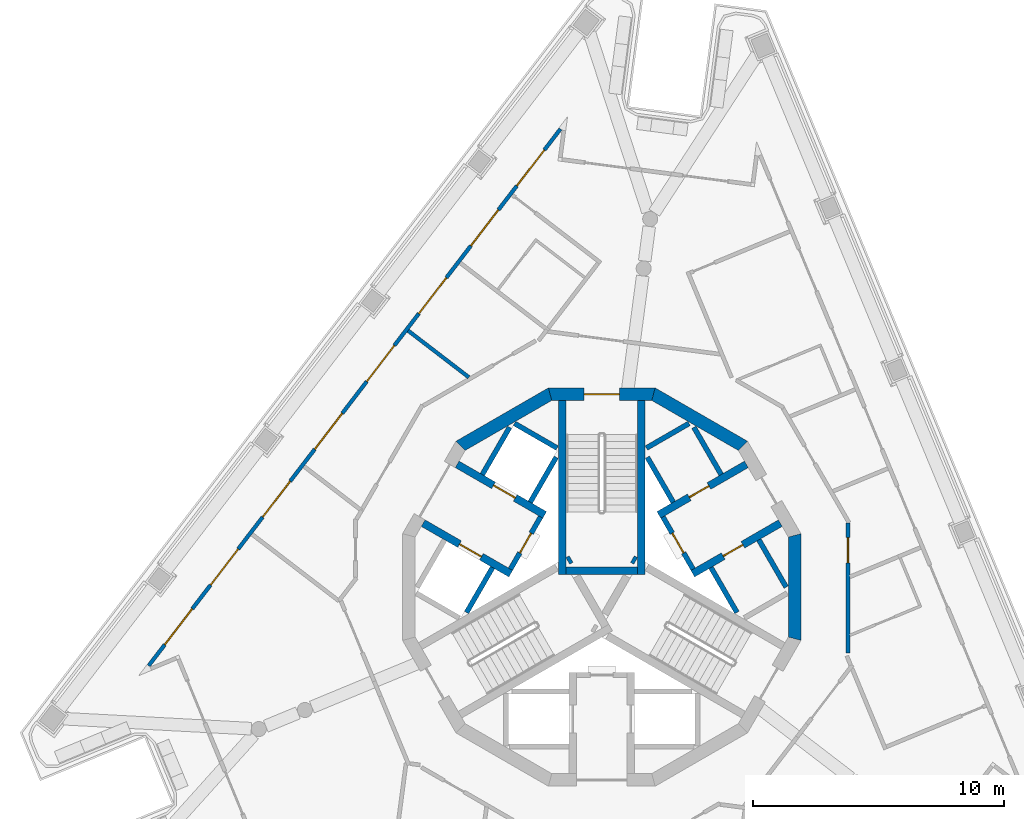
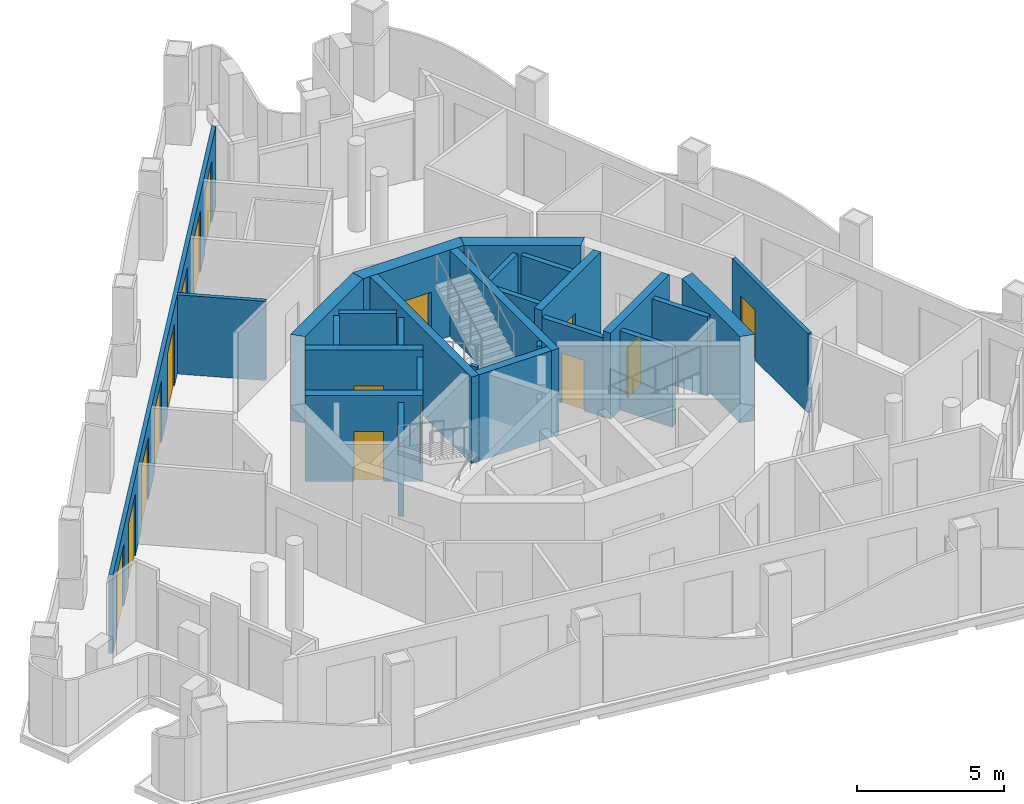
# One storey, part 4 of 12: 27 walls, 16 doors, 16 openings.
"""IFC4 building model written with IfcOpenShell, lengths in metres."""

from ifc_helpers import new_model, si_unit, direction, frame, frame_2d, origin, place, context, subcontext, project, spatial, polyline, rectangle, outline, extrude, material, layer, layer_set, type_object, element, fill, save


model = new_model("IFC4")

# Units and contexts
model_context = context("Model", 3, precision=1e-05, world=origin(), true_north=direction((0.0, 1.0)))
body_context = subcontext(model_context, "Body", "Model", "MODEL_VIEW")
ifc_project = project(units=[si_unit("LENGTHUNIT", "METRE"), si_unit("AREAUNIT", "SQUARE_METRE"), si_unit("VOLUMEUNIT", "CUBIC_METRE"), si_unit("PLANEANGLEUNIT", "RADIAN"), si_unit("MASSUNIT", "GRAM", prefix="KILO")], contexts=[model_context])

# Site, building, storey
site_placement = place(None, origin())
site = spatial("IfcSite", under=ifc_project, at=site_placement, CompositionType="ELEMENT")
building_placement = place(site_placement, origin())
building = spatial("IfcBuilding", under=site, at=building_placement, Name="Trine Commons Tower", CompositionType="ELEMENT")
storey_placement = place(building_placement, frame((0.0, 0.0, 289.800048828125)))
storey = spatial("IfcBuildingStorey", under=building, at=storey_placement, Name="L76", CompositionType="ELEMENT", Elevation=289.800048828125)

# Wall, openings, doors
ifc_material_1 = material(Name="Aluminium-framed insulated wall panel", Category="aluminium")
ifc_layer_1 = layer(ifc_material_1, 0.14990234375)
ifc_layer_set_1 = layer_set([ifc_layer_1], Name="Aluminium-framed insulated wall panel")
wall_type_1 = type_object("IfcWallType", Name="Glazed frame wall 150, EI 60", PredefinedType="SOLIDWALL", material=ifc_layer_set_1)
wall_1_placement = place(storey_placement, frame((61.8876953125, 59.251708984375, 0.0), z_axis=(0.0, 0.0, 1.0), x_axis=(0.608757974151, 0.793355991284, 0.0)))
wall_1 = element("IfcWall", 1, at=wall_1_placement, inside=storey, type_object=wall_type_1, Name="Glazed frame wall F1", PredefinedType="SOLIDWALL", context=body_context, shape_type="SweptSolid", body=[
    extrude(outline(polyline([(0.1494140625, 0.074951171875), (0.1494140625, -0.074951171875), (27.056884765625, -0.074951171875), (27.056884765625, 0.074951171875), (0.1494140625, 0.074951171875)])), origin(), (0.0, 0.0, 1.0), 3.300048828125),
])
opening_1_placement = place(wall_1_placement, frame((1.200439453125, 0.0, 0.0)))
opening_1 = element("IfcOpeningElement", 2, at=opening_1_placement, cuts=wall_1, Name="Opening BD-8F1-01", PredefinedType="OPENING", context=body_context, shape_type="SweptSolid", body=[
    extrude(rectangle(XDim=1.800048828125, YDim=2.60009765625, at=frame_2d((0.89990234375, 1.300048828125))), frame((0.0, 0.0849609375, 0.0), z_axis=(0.0, -1.0, 0.0), x_axis=(1.0, 0.0, 0.0)), (0.0, 0.0, 1.0), 0.169921875),
])
opening_2_placement = place(wall_1_placement, frame((4.201171875, 0.0, 0.0)))
opening_2 = element("IfcOpeningElement", 3, at=opening_2_placement, cuts=wall_1, Name="Opening BD-8F1-02", PredefinedType="OPENING", context=body_context, shape_type="SweptSolid", body=[
    extrude(rectangle(XDim=1.800048828125, YDim=2.60009765625, at=frame_2d((0.89990234375, 1.300048828125))), frame((0.0, 0.0849609375, 0.0), z_axis=(0.0, -1.0, 0.0), x_axis=(1.0, 0.0, 0.0)), (0.0, 0.0, 1.0), 0.169921875),
])
opening_3_placement = place(wall_1_placement, frame((7.60205078125, 0.0, 0.0)))
opening_3 = element("IfcOpeningElement", 4, at=opening_3_placement, cuts=wall_1, Name="Opening BD-8F1-03", PredefinedType="OPENING", context=body_context, shape_type="SweptSolid", body=[
    extrude(rectangle(XDim=1.800048828125, YDim=2.60009765625, at=frame_2d((0.89990234375, 1.300048828125))), frame((0.0, 0.0849609375, 0.0), z_axis=(0.0, -1.0, 0.0), x_axis=(1.0, 0.0, 0.0)), (0.0, 0.0, 1.0), 0.169921875),
])
opening_4_placement = place(wall_1_placement, frame((11.002685546875, 0.0, 0.0)))
opening_4 = element("IfcOpeningElement", 5, at=opening_4_placement, cuts=wall_1, Name="Opening BD-8F1-04", PredefinedType="OPENING", context=body_context, shape_type="SweptSolid", body=[
    extrude(rectangle(XDim=1.800048828125, YDim=2.60009765625, at=frame_2d((0.89990234375, 1.300048828125))), frame((0.0, 0.0849609375, 0.0), z_axis=(0.0, -1.0, 0.0), x_axis=(1.0, 0.0, 0.0)), (0.0, 0.0, 1.0), 0.169921875),
])
opening_5_placement = place(wall_1_placement, frame((14.403564453125, 0.0, 0.0)))
opening_5 = element("IfcOpeningElement", 6, at=opening_5_placement, cuts=wall_1, Name="Opening BD-8F1-05", PredefinedType="OPENING", context=body_context, shape_type="SweptSolid", body=[
    extrude(rectangle(XDim=1.800048828125, YDim=2.60009765625, at=frame_2d((0.89990234375, 1.300048828125))), frame((0.0, 0.0849609375, 0.0), z_axis=(0.0, -1.0, 0.0), x_axis=(1.0, 0.0, 0.0)), (0.0, 0.0, 1.0), 0.169921875),
])
opening_6_placement = place(wall_1_placement, frame((17.804443359375, 0.0, 0.0)))
opening_6 = element("IfcOpeningElement", 7, at=opening_6_placement, cuts=wall_1, Name="Opening BD-8F1-06", PredefinedType="OPENING", context=body_context, shape_type="SweptSolid", body=[
    extrude(rectangle(XDim=1.800048828125, YDim=2.60009765625, at=frame_2d((0.89990234375, 1.300048828125))), frame((0.0, 0.0849609375, 0.0), z_axis=(0.0, -1.0, 0.0), x_axis=(1.0, 0.0, 0.0)), (0.0, 0.0, 1.0), 0.169921875),
])
opening_7_placement = place(wall_1_placement, frame((21.205078125, 0.0, 0.0)))
opening_7 = element("IfcOpeningElement", 8, at=opening_7_placement, cuts=wall_1, Name="Opening BD-8F1-07", PredefinedType="OPENING", context=body_context, shape_type="SweptSolid", body=[
    extrude(rectangle(XDim=1.800048828125, YDim=2.60009765625, at=frame_2d((0.89990234375, 1.300048828125))), frame((0.0, 0.0849609375, 0.0), z_axis=(0.0, -1.0, 0.0), x_axis=(1.0, 0.0, 0.0)), (0.0, 0.0, 1.0), 0.169921875),
])
opening_8_placement = place(wall_1_placement, frame((24.2060546875, 0.0, 0.0)))
opening_8 = element("IfcOpeningElement", 9, at=opening_8_placement, cuts=wall_1, Name="Opening BD-8F1-08", PredefinedType="OPENING", context=body_context, shape_type="SweptSolid", body=[
    extrude(rectangle(XDim=1.800048828125, YDim=2.60009765625, at=frame_2d((0.89990234375, 1.300048828125))), frame((0.0, 0.0849609375, 0.0), z_axis=(0.0, -1.0, 0.0), x_axis=(1.0, 0.0, 0.0)), (0.0, 0.0, 1.0), 0.169921875),
])
ifc_material_2 = material(Name="Anodised aluminium frame with double glazing", Category="aluminium")
door_type_1 = type_object("IfcDoorType", Name="Sliding loggia door 1800x2600", OperationType="SLIDING_TO_LEFT", PredefinedType="DOOR", material=ifc_material_2)
door_1_placement = place(opening_1_placement, origin())
door_1 = element("IfcDoor", 10, at=door_1_placement, inside=storey, type_object=door_type_1, Name="Loggia door F1 1", OperationType="SLIDING_TO_LEFT", OverallHeight=2.60009765625, OverallWidth=1.800048828125, PredefinedType="DOOR", context=body_context, shape_type="SweptSolid", body=[
    extrude(rectangle(XDim=1.800048828125, YDim=2.60009765625, at=frame_2d((0.89990234375, 1.300048828125))), frame((0.0, 0.02490234375, 0.0), z_axis=(0.0, -1.0, 0.0), x_axis=(1.0, 0.0, 0.0)), (0.0, 0.0, 1.0), 0.050048828125),
])
fill(opening_1, door_1)
door_2_placement = place(opening_2_placement, origin())
door_2 = element("IfcDoor", 11, at=door_2_placement, inside=storey, type_object=door_type_1, Name="Loggia door F1 2", OperationType="SLIDING_TO_LEFT", OverallHeight=2.60009765625, OverallWidth=1.800048828125, PredefinedType="DOOR", context=body_context, shape_type="SweptSolid", body=[
    extrude(rectangle(XDim=1.800048828125, YDim=2.60009765625, at=frame_2d((0.89990234375, 1.300048828125))), frame((0.0, 0.02490234375, 0.0), z_axis=(0.0, -1.0, 0.0), x_axis=(1.0, 0.0, 0.0)), (0.0, 0.0, 1.0), 0.050048828125),
])
fill(opening_2, door_2)
door_3_placement = place(opening_3_placement, origin())
door_3 = element("IfcDoor", 12, at=door_3_placement, inside=storey, type_object=door_type_1, Name="Loggia door F1 3", OperationType="SLIDING_TO_LEFT", OverallHeight=2.60009765625, OverallWidth=1.800048828125, PredefinedType="DOOR", context=body_context, shape_type="SweptSolid", body=[
    extrude(rectangle(XDim=1.800048828125, YDim=2.60009765625, at=frame_2d((0.89990234375, 1.300048828125))), frame((0.0, 0.02490234375, 0.0), z_axis=(0.0, -1.0, 0.0), x_axis=(1.0, 0.0, 0.0)), (0.0, 0.0, 1.0), 0.050048828125),
])
fill(opening_3, door_3)
door_4_placement = place(opening_4_placement, origin())
door_4 = element("IfcDoor", 13, at=door_4_placement, inside=storey, type_object=door_type_1, Name="Loggia door F1 4", OperationType="SLIDING_TO_LEFT", OverallHeight=2.60009765625, OverallWidth=1.800048828125, PredefinedType="DOOR", context=body_context, shape_type="SweptSolid", body=[
    extrude(rectangle(XDim=1.800048828125, YDim=2.60009765625, at=frame_2d((0.89990234375, 1.300048828125))), frame((0.0, 0.02490234375, 0.0), z_axis=(0.0, -1.0, 0.0), x_axis=(1.0, 0.0, 0.0)), (0.0, 0.0, 1.0), 0.050048828125),
])
fill(opening_4, door_4)
door_5_placement = place(opening_5_placement, origin())
door_5 = element("IfcDoor", 14, at=door_5_placement, inside=storey, type_object=door_type_1, Name="Loggia door F1 5", OperationType="SLIDING_TO_LEFT", OverallHeight=2.60009765625, OverallWidth=1.800048828125, PredefinedType="DOOR", context=body_context, shape_type="SweptSolid", body=[
    extrude(rectangle(XDim=1.800048828125, YDim=2.60009765625, at=frame_2d((0.89990234375, 1.300048828125))), frame((0.0, 0.02490234375, 0.0), z_axis=(0.0, -1.0, 0.0), x_axis=(1.0, 0.0, 0.0)), (0.0, 0.0, 1.0), 0.050048828125),
])
fill(opening_5, door_5)
door_6_placement = place(opening_6_placement, origin())
door_6 = element("IfcDoor", 15, at=door_6_placement, inside=storey, type_object=door_type_1, Name="Loggia door F1 6", OperationType="SLIDING_TO_LEFT", OverallHeight=2.60009765625, OverallWidth=1.800048828125, PredefinedType="DOOR", context=body_context, shape_type="SweptSolid", body=[
    extrude(rectangle(XDim=1.800048828125, YDim=2.60009765625, at=frame_2d((0.89990234375, 1.300048828125))), frame((0.0, 0.02490234375, 0.0), z_axis=(0.0, -1.0, 0.0), x_axis=(1.0, 0.0, 0.0)), (0.0, 0.0, 1.0), 0.050048828125),
])
fill(opening_6, door_6)
door_7_placement = place(opening_7_placement, origin())
door_7 = element("IfcDoor", 16, at=door_7_placement, inside=storey, type_object=door_type_1, Name="Loggia door F1 7", OperationType="SLIDING_TO_LEFT", OverallHeight=2.60009765625, OverallWidth=1.800048828125, PredefinedType="DOOR", context=body_context, shape_type="SweptSolid", body=[
    extrude(rectangle(XDim=1.800048828125, YDim=2.60009765625, at=frame_2d((0.89990234375, 1.300048828125))), frame((0.0, 0.02490234375, 0.0), z_axis=(0.0, -1.0, 0.0), x_axis=(1.0, 0.0, 0.0)), (0.0, 0.0, 1.0), 0.050048828125),
])
fill(opening_7, door_7)
door_8_placement = place(opening_8_placement, origin())
door_8 = element("IfcDoor", 17, at=door_8_placement, inside=storey, type_object=door_type_1, Name="Loggia door F1 8", OperationType="SLIDING_TO_LEFT", OverallHeight=2.60009765625, OverallWidth=1.800048828125, PredefinedType="DOOR", context=body_context, shape_type="SweptSolid", body=[
    extrude(rectangle(XDim=1.800048828125, YDim=2.60009765625, at=frame_2d((0.89990234375, 1.300048828125))), frame((0.0, 0.02490234375, 0.0), z_axis=(0.0, -1.0, 0.0), x_axis=(1.0, 0.0, 0.0)), (0.0, 0.0, 1.0), 0.050048828125),
])
fill(opening_8, door_8)

# Wall, opening, door
ifc_material_3 = material(Name="Fire-rated gypsum shaft wall system")
ifc_layer_2 = layer(ifc_material_3, 0.199951171875)
ifc_layer_set_2 = layer_set([ifc_layer_2], Name="Fire-rated gypsum shaft wall system")
wall_type_2 = type_object("IfcWallType", Name="Lobby end wall 200 mm, EI 120", PredefinedType="PARTITIONING", material=ifc_layer_set_2)
wall_2_placement = place(storey_placement, frame((77.569091796875, 65.2890625, 0.0), z_axis=(0.0, 0.0, 1.0), x_axis=(-0.50012165622, -0.865955154139, 0.0)))
wall_2 = element("IfcWall", 18, at=wall_2_placement, inside=storey, type_object=wall_type_2, Name="Lobby end wall L76", PredefinedType="PARTITIONING", context=body_context, shape_type="SweptSolid", body=[
    extrude(rectangle(XDim=2.39990234375, YDim=0.199951171875, at=frame_2d((1.199951171875, 0.0))), origin(), (0.0, 0.0, 1.0), 3.300048828125),
])
opening_9_placement = place(wall_2_placement, frame((0.749755859375, 0.0, 0.0)))
opening_9 = element("IfcOpeningElement", 19, at=opening_9_placement, cuts=wall_2, Name="Opening K18.07", PredefinedType="OPENING", context=body_context, shape_type="SweptSolid", body=[
    extrude(rectangle(XDim=0.89990234375, YDim=2.10009765625, at=frame_2d((0.449951171875, 1.050048828125))), frame((0.0, 0.10986328125, 0.0), z_axis=(0.0, -1.0, 0.0), x_axis=(1.0, 0.0, 0.0)), (0.0, 0.0, 1.0), 0.219970703125),
])
ifc_material_4 = material(Name="Steel door leaf, fire-rated", Category="steel")
door_type_2 = type_object("IfcDoorType", Name="Riser access door, single leaf 900 x 2100, FD60", OperationType="SINGLE_SWING_LEFT", PredefinedType="DOOR", material=ifc_material_4)
door_9_placement = place(opening_9_placement, frame((0.89990234375, 0.0, 0.0), z_axis=(0.0, 0.0, 1.0), x_axis=(-1.0, 0.0, 0.0)))
door_9 = element("IfcDoor", 20, at=door_9_placement, inside=storey, type_object=door_type_2, Name="Riser door, Mechanical riser L76", OperationType="SINGLE_SWING_RIGHT", OverallHeight=2.10009765625, OverallWidth=0.89990234375, PredefinedType="DOOR", context=body_context, shape_type="SweptSolid", body=[
    extrude(rectangle(XDim=0.89990234375, YDim=2.10009765625, at=frame_2d((0.449951171875, 1.050048828125))), frame((0.0, 0.02490234375, 0.0), z_axis=(0.0, -1.0, 0.0), x_axis=(1.0, 0.0, 0.0)), (0.0, 0.0, 1.0), 0.050048828125),
])
fill(opening_9, door_9)

wall_3_placement = place(storey_placement, frame((83.631103515625, 63.2109375, 0.0), z_axis=(0.0, 0.0, 1.0), x_axis=(-0.50012165622, 0.865955154139, 0.0)))
wall_3 = element("IfcWall", 21, at=wall_3_placement, inside=storey, type_object=wall_type_2, Name="Lobby end wall L76", PredefinedType="PARTITIONING", context=body_context, shape_type="SweptSolid", body=[
    extrude(rectangle(XDim=2.39990234375, YDim=0.199951171875, at=frame_2d((1.199951171875, 0.0))), origin(), (0.0, 0.0, 1.0), 3.300048828125),
])
opening_10_placement = place(wall_3_placement, frame((0.749755859375, 0.0, 0.0)))
opening_10 = element("IfcOpeningElement", 22, at=opening_10_placement, cuts=wall_3, Name="Opening K18.05", PredefinedType="OPENING", context=body_context, shape_type="SweptSolid", body=[
    extrude(rectangle(XDim=0.89990234375, YDim=2.10009765625, at=frame_2d((0.449951171875, 1.050048828125))), frame((0.0, 0.10986328125, 0.0), z_axis=(0.0, -1.0, 0.0), x_axis=(1.0, 0.0, 0.0)), (0.0, 0.0, 1.0), 0.219970703125),
])
door_10_placement = place(opening_10_placement, frame((0.89990234375, 0.0, 0.0), z_axis=(0.0, 0.0, 1.0), x_axis=(-1.0, 0.0, 0.0)))
door_10 = element("IfcDoor", 23, at=door_10_placement, inside=storey, type_object=door_type_2, Name="Riser door, Electrical riser L76", OperationType="SINGLE_SWING_LEFT", OverallHeight=2.10009765625, OverallWidth=0.89990234375, PredefinedType="DOOR", context=body_context, shape_type="SweptSolid", body=[
    extrude(rectangle(XDim=0.89990234375, YDim=2.10009765625, at=frame_2d((0.449951171875, 1.050048828125))), frame((0.0, 0.02490234375, 0.0), z_axis=(0.0, -1.0, 0.0), x_axis=(1.0, 0.0, 0.0)), (0.0, 0.0, 1.0), 0.050048828125),
])
fill(opening_10, door_10)

ifc_material_5 = material(Name="Concrete C50/60", Category="concrete")
ifc_layer_3 = layer(ifc_material_5, 0.300048828125)
ifc_layer_set_3 = layer_set([ifc_layer_3], Name="Concrete C50/60")
wall_type_3 = type_object("IfcWallType", Name="RC shear wall 300 mm, C50/60", PredefinedType="SHEAR", material=ifc_layer_set_3)
wall_4_placement = place(storey_placement, frame((76.381103515625, 63.031005859375, 0.0), z_axis=(0.0, 0.0, 1.0), x_axis=(-0.866071331441, 0.499920442526, 0.0)))
wall_4 = element("IfcWall", 24, at=wall_4_placement, inside=storey, type_object=wall_type_3, Name="Core cross wall SWD-01 L76", PredefinedType="SHEAR", context=body_context, shape_type="SweptSolid", body=[
    extrude(rectangle(XDim=4.020751953125, YDim=0.300048828125, at=frame_2d((2.01025390625, 0.0))), origin(), (0.0, 0.0, 1.0), 3.599853515625),
])
opening_11_placement = place(wall_4_placement, frame((1.350341796875, 0.0, 0.0)))
opening_11 = element("IfcOpeningElement", 25, at=opening_11_placement, cuts=wall_4, Name="Opening LD7", PredefinedType="OPENING", context=body_context, shape_type="SweptSolid", body=[
    extrude(rectangle(XDim=1.0, YDim=2.10009765625, at=frame_2d((0.5, 1.050048828125))), frame((0.0, 0.159912109375, 0.0), z_axis=(0.0, -1.0, 0.0), x_axis=(1.0, 0.0, 0.0)), (0.0, 0.0, 1.0), 0.320068359375),
])
ifc_material_6 = material(Name="Stainless steel sliding door leaves", Category="steel")
door_type_3 = type_object("IfcDoorType", Name="Lift landing door, centre-opening sliding 1000 x 2100, FD90", OperationType="DOUBLE_DOOR_SLIDING", PredefinedType="DOOR", material=ifc_material_6)
door_11_placement = place(opening_11_placement, origin())
door_11 = element("IfcDoor", 26, at=door_11_placement, inside=storey, type_object=door_type_3, Name="Lift landing door HR3 L76", OperationType="DOUBLE_DOOR_SLIDING", OverallHeight=2.10009765625, OverallWidth=1.0, PredefinedType="DOOR", context=body_context, shape_type="SweptSolid", body=[
    extrude(rectangle(XDim=1.0, YDim=2.10009765625, at=frame_2d((0.5, 1.050048828125))), frame((0.0, 0.02490234375, 0.0), z_axis=(0.0, -1.0, 0.0), x_axis=(1.0, 0.0, 0.0)), (0.0, 0.0, 1.0), 0.050048828125),
])
fill(opening_11, door_11)

wall_5_placement = place(storey_placement, frame((77.73095703125, 65.368896484375, 0.0), z_axis=(0.0, 0.0, 1.0), x_axis=(-0.866056154689, 0.499946734088, 0.0)))
wall_5 = element("IfcWall", 27, at=wall_5_placement, inside=storey, type_object=wall_type_3, Name="Core cross wall SWD-02 L76", PredefinedType="SHEAR", context=body_context, shape_type="SweptSolid", body=[
    extrude(rectangle(XDim=4.0205078125, YDim=0.300048828125, at=frame_2d((2.01025390625, 0.0))), origin(), (0.0, 0.0, 1.0), 3.599853515625),
])
opening_12_placement = place(wall_5_placement, frame((1.350341796875, 0.0, 0.0)))
opening_12 = element("IfcOpeningElement", 28, at=opening_12_placement, cuts=wall_5, Name="Opening LD8", PredefinedType="OPENING", context=body_context, shape_type="SweptSolid", body=[
    extrude(rectangle(XDim=1.0, YDim=2.10009765625, at=frame_2d((0.5, 1.050048828125))), frame((0.0, 0.159912109375, 0.0), z_axis=(0.0, -1.0, 0.0), x_axis=(1.0, 0.0, 0.0)), (0.0, 0.0, 1.0), 0.320068359375),
])
door_12_placement = place(opening_12_placement, origin())
door_12 = element("IfcDoor", 29, at=door_12_placement, inside=storey, type_object=door_type_3, Name="Lift landing door HR4 L76", OperationType="DOUBLE_DOOR_SLIDING", OverallHeight=2.10009765625, OverallWidth=1.0, PredefinedType="DOOR", context=body_context, shape_type="SweptSolid", body=[
    extrude(rectangle(XDim=1.0, YDim=2.10009765625, at=frame_2d((0.5, 1.050048828125))), frame((0.0, 0.02490234375, 0.0), z_axis=(0.0, -1.0, 0.0), x_axis=(1.0, 0.0, 0.0)), (0.0, 0.0, 1.0), 0.050048828125),
])
fill(opening_12, door_12)

wall_6_placement = place(storey_placement, frame((82.26904296875, 65.368896484375, 0.0), z_axis=(0.0, 0.0, 1.0), x_axis=(0.866056154689, 0.499946734088, 0.0)))
wall_6 = element("IfcWall", 30, at=wall_6_placement, inside=storey, type_object=wall_type_3, Name="Core cross wall SWD-05 L76", PredefinedType="SHEAR", context=body_context, shape_type="SweptSolid", body=[
    extrude(rectangle(XDim=4.0205078125, YDim=0.300048828125, at=frame_2d((2.01025390625, 0.0))), origin(), (0.0, 0.0, 1.0), 3.599853515625),
])
opening_13_placement = place(wall_6_placement, frame((1.400390625, 0.0, 0.0)))
opening_13 = element("IfcOpeningElement", 31, at=opening_13_placement, cuts=wall_6, Name="Opening K18.10", PredefinedType="OPENING", context=body_context, shape_type="SweptSolid", body=[
    extrude(rectangle(XDim=0.89990234375, YDim=2.10009765625, at=frame_2d((0.449951171875, 1.050048828125))), frame((0.0, 0.159912109375, 0.0), z_axis=(0.0, -1.0, 0.0), x_axis=(1.0, 0.0, 0.0)), (0.0, 0.0, 1.0), 0.320068359375),
])
door_type_4 = type_object("IfcDoorType", Name="Core room door, single leaf 900 x 2100, FD30S", OperationType="SINGLE_SWING_LEFT", PredefinedType="DOOR", material=ifc_material_4)
door_13_placement = place(opening_13_placement, origin())
door_13 = element("IfcDoor", 32, at=door_13_placement, inside=storey, type_object=door_type_4, Name="Door to Pantry L76", OperationType="SINGLE_SWING_LEFT", OverallHeight=2.10009765625, OverallWidth=0.89990234375, PredefinedType="DOOR", context=body_context, shape_type="SweptSolid", body=[
    extrude(rectangle(XDim=0.89990234375, YDim=2.10009765625, at=frame_2d((0.449951171875, 1.050048828125))), frame((0.0, 0.02490234375, 0.0), z_axis=(0.0, -1.0, 0.0), x_axis=(1.0, 0.0, 0.0)), (0.0, 0.0, 1.0), 0.050048828125),
])
fill(opening_13, door_13)

wall_7_placement = place(storey_placement, frame((83.618896484375, 63.031005859375, 0.0), z_axis=(0.0, 0.0, 1.0), x_axis=(0.866071331441, 0.499920442526, 0.0)))
wall_7 = element("IfcWall", 33, at=wall_7_placement, inside=storey, type_object=wall_type_3, Name="Core cross wall SWD-06 L76", PredefinedType="SHEAR", context=body_context, shape_type="SweptSolid", body=[
    extrude(rectangle(XDim=4.020751953125, YDim=0.300048828125, at=frame_2d((2.01025390625, 0.0))), origin(), (0.0, 0.0, 1.0), 3.599853515625),
])
opening_14_placement = place(wall_7_placement, frame((1.400390625, 0.0, 0.0)))
opening_14 = element("IfcOpeningElement", 34, at=opening_14_placement, cuts=wall_7, Name="Opening K18.11", PredefinedType="OPENING", context=body_context, shape_type="SweptSolid", body=[
    extrude(rectangle(XDim=0.89990234375, YDim=2.10009765625, at=frame_2d((0.449951171875, 1.050048828125))), frame((0.0, 0.159912109375, 0.0), z_axis=(0.0, -1.0, 0.0), x_axis=(1.0, 0.0, 0.0)), (0.0, 0.0, 1.0), 0.320068359375),
])
door_14_placement = place(opening_14_placement, frame((0.89990234375, 0.0, 0.0), z_axis=(0.0, 0.0, 1.0), x_axis=(-1.0, 0.0, 0.0)))
door_14 = element("IfcDoor", 35, at=door_14_placement, inside=storey, type_object=door_type_4, Name="Door to Comms room L76", OperationType="SINGLE_SWING_LEFT", OverallHeight=2.10009765625, OverallWidth=0.89990234375, PredefinedType="DOOR", context=body_context, shape_type="SweptSolid", body=[
    extrude(rectangle(XDim=0.89990234375, YDim=2.10009765625, at=frame_2d((0.449951171875, 1.050048828125))), frame((0.0, 0.02490234375, 0.0), z_axis=(0.0, -1.0, 0.0), x_axis=(1.0, 0.0, 0.0)), (0.0, 0.0, 1.0), 0.050048828125),
])
fill(opening_14, door_14)

# Walls
wall_8_placement = place(storey_placement, frame((78.425048828125, 63.0009765625, 0.0), z_axis=(0.0, 0.0, 1.0), x_axis=(0.0, 1.0, 0.0)))
element("IfcWall", 36, at=wall_8_placement, inside=storey, type_object=wall_type_3, Name="Core cross wall SWD-08 L76", PredefinedType="SHEAR", context=body_context, shape_type="SweptSolid", body=[
    extrude(rectangle(XDim=6.919921875, YDim=0.300048828125, at=frame_2d((3.4599609375, 0.0))), origin(), (0.0, 0.0, 1.0), 3.599853515625),
])
for number, where, z_axis, x_axis, name in (
    (37, (78.779052734375, 63.614013671875, 0.0), (0.0, 0.0, 1.0), (-0.867737973955, -0.497021939713, 0.0), "Core cross wall SWD-09 L76"),
    (38, (81.220947265625, 63.614013671875, 0.0), (0.0, 0.0, 1.0), (0.867737973955, -0.497021939713, 0.0), "Core cross wall SWD-15 L76"),
):
    element("IfcWall", number, at=place(storey_placement, frame(where, z_axis=z_axis, x_axis=x_axis)), inside=storey, type_object=wall_type_3, Name=name, PredefinedType="SHEAR", context=body_context, shape_type="SweptSolid", body=[
        extrude(rectangle(XDim=0.14892578125, YDim=0.300048828125, at=frame_2d((0.074462890625, 0.0))), origin(), (0.0, 0.0, 1.0), 3.599853515625),
    ])
wall_9_placement = place(storey_placement, frame((81.425048828125, 63.15087890625, 0.0), z_axis=(0.0, 0.0, 1.0), x_axis=(-1.0, 0.0, 0.0)))
element("IfcWall", 39, at=wall_9_placement, inside=storey, type_object=wall_type_3, Name="Core cross wall SWD-16 L76", PredefinedType="SHEAR", context=body_context, shape_type="SweptSolid", body=[
    extrude(rectangle(XDim=2.85009765625, YDim=0.300048828125, at=frame_2d((1.425048828125, 0.0))), origin(), (0.0, 0.0, 1.0), 3.599853515625),
])
wall_10_placement = place(storey_placement, frame((81.574951171875, 63.0009765625, 0.0), z_axis=(0.0, 0.0, 1.0), x_axis=(0.0, 1.0, 0.0)))
element("IfcWall", 40, at=wall_10_placement, inside=storey, type_object=wall_type_3, Name="Core cross wall SWD-17 L76", PredefinedType="SHEAR", context=body_context, shape_type="SweptSolid", body=[
    extrude(rectangle(XDim=6.919921875, YDim=0.300048828125, at=frame_2d((3.4599609375, 0.0))), origin(), (0.0, 0.0, 1.0), 3.599853515625),
])
ifc_layer_4 = layer(ifc_material_5, 0.5)
ifc_layer_set_4 = layer_set([ifc_layer_4], Name="Concrete C50/60")
wall_type_4 = type_object("IfcWallType", Name="RC shear wall 500 mm, C50/60", PredefinedType="SHEAR", material=ifc_layer_set_4)
for number, where, z_axis, x_axis, name in (
    (41, (87.670654296875, 60.377685546875, 0.0), (0.0, 0.0, 1.0), (0.0, 1.0, 0.0), "Core wall CWH-01 L76"),
    (42, (85.67333984375, 68.081787109375, 0.0), (0.0, 0.0, 1.0), (-0.866029463428, 0.499992968425, 0.0), "Core wall CWH-03 L76"),
):
    element("IfcWall", number, at=place(storey_placement, frame(where, z_axis=z_axis, x_axis=x_axis)), inside=storey, type_object=wall_type_4, Name=name, PredefinedType="SHEAR", context=body_context, shape_type="SweptSolid", body=[
        extrude(outline(polyline([(0.0, -0.25), (4.24462890625, -0.25), (4.110595703125, 0.25), (0.134033203125, 0.25), (0.0, -0.25)])), origin(), (0.0, 0.0, 1.0), 3.599853515625),
    ])

# Wall, opening, door
wall_11_placement = place(storey_placement, frame((82.122314453125, 70.170654296875, 0.0), z_axis=(0.0, 0.0, 1.0), x_axis=(-1.0, 0.0, 0.0)))
wall_11 = element("IfcWall", 43, at=wall_11_placement, inside=storey, type_object=wall_type_4, Name="Core wall CWH-04 L76", PredefinedType="SHEAR", context=body_context, shape_type="SweptSolid", body=[
    extrude(outline(polyline([(0.0, -0.25), (4.24462890625, -0.25), (4.110595703125, 0.25), (0.134033203125, 0.25), (0.0, -0.25)])), origin(), (0.0, 0.0, 1.0), 3.599853515625),
])
opening_15_placement = place(wall_11_placement, frame((1.42236328125, 0.0, 0.0)))
opening_15 = element("IfcOpeningElement", 44, at=opening_15_placement, cuts=wall_11, Name="Opening K18.01", PredefinedType="OPENING", context=body_context, shape_type="SweptSolid", body=[
    extrude(rectangle(XDim=1.39990234375, YDim=2.10009765625, at=frame_2d((0.699951171875, 1.050048828125))), frame((0.0, 0.260009765625, 0.0), z_axis=(0.0, -1.0, 0.0), x_axis=(1.0, 0.0, 0.0)), (0.0, 0.0, 1.0), 0.52001953125),
])
ifc_material_7 = material(Name="Steel door leaves, fire-rated", Category="steel")
door_type_5 = type_object("IfcDoorType", Name="Stair door, double leaf 1400 x 2100, FD90", OperationType="DOUBLE_DOOR_SINGLE_SWING", PredefinedType="DOOR", material=ifc_material_7)
door_15_placement = place(opening_15_placement, origin())
door_15 = element("IfcDoor", 45, at=door_15_placement, inside=storey, type_object=door_type_5, Name="Stair door to Exit stair ST1D L76", OperationType="DOUBLE_DOOR_SINGLE_SWING", OverallHeight=2.10009765625, OverallWidth=1.39990234375, PredefinedType="DOOR", context=body_context, shape_type="SweptSolid", body=[
    extrude(rectangle(XDim=1.39990234375, YDim=2.10009765625, at=frame_2d((0.699951171875, 1.050048828125))), frame((0.0, 0.02490234375, 0.0), z_axis=(0.0, -1.0, 0.0), x_axis=(1.0, 0.0, 0.0)), (0.0, 0.0, 1.0), 0.050048828125),
])
fill(opening_15, door_15)

# Walls
wall_12_placement = place(storey_placement, frame((78.002685546875, 70.2041015625, 0.0), z_axis=(0.0, 0.0, 1.0), x_axis=(-0.866029463428, -0.499992968425, 0.0)))
element("IfcWall", 46, at=wall_12_placement, inside=storey, type_object=wall_type_4, Name="Core wall CWH-05 L76", PredefinedType="SHEAR", context=body_context, shape_type="SweptSolid", body=[
    extrude(outline(polyline([(0.0, -0.25), (4.24462890625, -0.25), (4.110595703125, 0.25), (0.134033203125, 0.25), (0.0, -0.25)])), origin(), (0.0, 0.0, 1.0), 3.599853515625),
])
ifc_layer_5 = layer(ifc_material_3, 0.199951171875)
ifc_layer_set_5 = layer_set([ifc_layer_5], Name="Fire-rated gypsum shaft wall system")
wall_type_5 = type_object("IfcWallType", Name="Shaft wall 200 mm, EI 120", PredefinedType="PARTITIONING", material=ifc_layer_set_5)
wall_13_placement = place(storey_placement, frame((75.2509765625, 66.97412109375, 0.0), z_axis=(0.0, 0.0, 1.0), x_axis=(0.500060114735, 0.865990693744, 0.0)))
element("IfcWall", 47, at=wall_13_placement, inside=storey, type_object=wall_type_5, Name="Shaft wall L76", PredefinedType="PARTITIONING", context=body_context, shape_type="SweptSolid", body=[
    extrude(rectangle(XDim=2.169677734375, YDim=0.199951171875, at=frame_2d((1.0849609375, 0.0))), origin(), (0.0, 0.0, 1.0), 3.300048828125),
])
wall_14_placement = place(storey_placement, frame((75.656005859375, 63.27587890625, 0.0), z_axis=(0.0, 0.0, 1.0), x_axis=(-0.500271688072, -0.86586848777, 0.0)))
element("IfcWall", 48, at=wall_14_placement, inside=storey, type_object=wall_type_5, Name="Shaft wall L76", PredefinedType="PARTITIONING", context=body_context, shape_type="SweptSolid", body=[
    extrude(rectangle(XDim=2.064697265625, YDim=0.199951171875, at=frame_2d((1.0322265625, 0.0))), origin(), (0.0, 0.0, 1.0), 3.300048828125),
])
wall_15_placement = place(storey_placement, frame((77.156005859375, 65.8740234375, 0.0), z_axis=(0.0, 0.0, 1.0), x_axis=(0.499865770674, 0.866102887253, 0.0)))
element("IfcWall", 49, at=wall_15_placement, inside=storey, type_object=wall_type_5, Name="Shaft wall L76", PredefinedType="PARTITIONING", context=body_context, shape_type="SweptSolid", body=[
    extrude(rectangle(XDim=2.064453125, YDim=0.199951171875, at=frame_2d((1.0322265625, 0.0))), origin(), (0.0, 0.0, 1.0), 3.300048828125),
])
for number, where, z_axis, x_axis, name in (
    (50, (78.22509765625, 68.028076171875, 0.0), (0.0, 0.0, 1.0), (-0.866071410914, 0.499920304846, 0.0), "Shaft wall L76"),
    (51, (81.77490234375, 68.028076171875, 0.0), (0.0, 0.0, 1.0), (0.866071410914, 0.499920304846, 0.0), "Shaft wall L76"),
):
    element("IfcWall", number, at=place(storey_placement, frame(where, z_axis=z_axis, x_axis=x_axis)), inside=storey, type_object=wall_type_5, Name=name, PredefinedType="PARTITIONING", context=body_context, shape_type="SweptSolid", body=[
        extrude(rectangle(XDim=1.958251953125, YDim=0.199951171875, at=frame_2d((0.97900390625, 0.0))), origin(), (0.0, 0.0, 1.0), 3.300048828125),
    ])
wall_16_placement = place(storey_placement, frame((82.843994140625, 65.8740234375, 0.0), z_axis=(0.0, 0.0, 1.0), x_axis=(-0.499865770674, 0.866102887253, 0.0)))
element("IfcWall", 52, at=wall_16_placement, inside=storey, type_object=wall_type_5, Name="Shaft wall L76", PredefinedType="PARTITIONING", context=body_context, shape_type="SweptSolid", body=[
    extrude(rectangle(XDim=2.064453125, YDim=0.199951171875, at=frame_2d((1.0322265625, 0.0))), origin(), (0.0, 0.0, 1.0), 3.300048828125),
])
wall_17_placement = place(storey_placement, frame((84.343994140625, 63.27587890625, 0.0), z_axis=(0.0, 0.0, 1.0), x_axis=(0.500271688072, -0.86586848777, 0.0)))
element("IfcWall", 53, at=wall_17_placement, inside=storey, type_object=wall_type_5, Name="Shaft wall L76", PredefinedType="PARTITIONING", context=body_context, shape_type="SweptSolid", body=[
    extrude(rectangle(XDim=2.064697265625, YDim=0.199951171875, at=frame_2d((1.0322265625, 0.0))), origin(), (0.0, 0.0, 1.0), 3.300048828125),
])
wall_18_placement = place(storey_placement, frame((84.7490234375, 66.97412109375, 0.0), z_axis=(0.0, 0.0, 1.0), x_axis=(-0.500060114735, 0.865990693744, 0.0)))
element("IfcWall", 54, at=wall_18_placement, inside=storey, type_object=wall_type_5, Name="Shaft wall L76", PredefinedType="PARTITIONING", context=body_context, shape_type="SweptSolid", body=[
    extrude(rectangle(XDim=2.169677734375, YDim=0.199951171875, at=frame_2d((1.0849609375, 0.0))), origin(), (0.0, 0.0, 1.0), 3.300048828125),
])
wall_19_placement = place(storey_placement, frame((86.2490234375, 64.3759765625, 0.0), z_axis=(0.0, 0.0, 1.0), x_axis=(0.499865263774, -0.866103179807, 0.0)))
element("IfcWall", 55, at=wall_19_placement, inside=storey, type_object=wall_type_5, Name="Shaft wall L76", PredefinedType="PARTITIONING", context=body_context, shape_type="SweptSolid", body=[
    extrude(rectangle(XDim=2.17041015625, YDim=0.199951171875, at=frame_2d((1.085205078125, 0.0))), origin(), (0.0, 0.0, 1.0), 3.300048828125),
])
ifc_material_8 = material(Name="Gypsum plasterboard on steel stud", Category="steel")
ifc_layer_6 = layer(ifc_material_8, 0.14990234375)
ifc_layer_set_6 = layer_set([ifc_layer_6], Name="Gypsum plasterboard on steel stud")
wall_type_6 = type_object("IfcWallType", Name="Unit and corridor wall 150 mm, EI 60", PredefinedType="PARTITIONING", material=ifc_layer_set_6)
wall_20_placement = place(storey_placement, frame((72.298583984375, 72.696533203125, 0.0), z_axis=(0.0, 0.0, 1.0), x_axis=(0.793299429492, -0.60883168049, 0.0)))
element("IfcWall", 56, at=wall_20_placement, inside=storey, type_object=wall_type_6, Name="Partition 011", PredefinedType="PARTITIONING", context=body_context, shape_type="SweptSolid", body=[
    extrude(rectangle(XDim=3.048095703125, YDim=0.14990234375, at=frame_2d((1.52392578125, 0.0))), origin(), (0.0, 0.0, 1.0), 3.300048828125),
])

# Wall, opening, door
wall_21_placement = place(storey_placement, frame((89.7958984375, 59.875, 0.0), z_axis=(0.0, 0.0, 1.0), x_axis=(0.0, 1.0, 0.0)))
wall_21 = element("IfcWall", 57, at=wall_21_placement, inside=storey, type_object=wall_type_6, Name="Partition 046", PredefinedType="PARTITIONING", context=body_context, shape_type="SweptSolid", body=[
    extrude(rectangle(XDim=5.175048828125, YDim=0.14990234375, at=frame_2d((2.58740234375, 0.0))), origin(), (0.0, 0.0, 1.0), 3.300048828125),
])
opening_16_placement = place(wall_21_placement, frame((3.587890625, 0.0, 0.0)))
opening_16 = element("IfcOpeningElement", 58, at=opening_16_placement, cuts=wall_21, Name="Opening D-8B10", PredefinedType="OPENING", context=body_context, shape_type="SweptSolid", body=[
    extrude(rectangle(XDim=1.0, YDim=2.10009765625, at=frame_2d((0.5, 1.050048828125))), frame((0.0, 0.0849609375, 0.0), z_axis=(0.0, -1.0, 0.0), x_axis=(1.0, 0.0, 0.0)), (0.0, 0.0, 1.0), 0.169921875),
])
ifc_material_9 = material(Name="Painted timber", Category="wood")
door_type_6 = type_object("IfcDoorType", Name="Toilet door 1000 x 2100, NOT RATED", OperationType="NOTDEFINED", PredefinedType="DOOR", material=ifc_material_9)
door_16_placement = place(opening_16_placement, frame((1.0, 0.0, 0.0), z_axis=(0.0, 0.0, 1.0), x_axis=(-1.0, 0.0, 0.0)))
door_16 = element("IfcDoor", 59, at=door_16_placement, inside=storey, type_object=door_type_6, Name="Door D-8B10", OperationType="SINGLE_SWING_LEFT", OverallHeight=2.10009765625, OverallWidth=1.0, PredefinedType="DOOR", context=body_context, shape_type="SweptSolid", body=[
    extrude(rectangle(XDim=1.0, YDim=2.10009765625, at=frame_2d((0.5, 1.050048828125))), frame((0.0, 0.02490234375, 0.0), z_axis=(0.0, -1.0, 0.0), x_axis=(1.0, 0.0, 0.0)), (0.0, 0.0, 1.0), 0.050048828125),
])
fill(opening_16, door_16)

save(model, "model.ifc")
